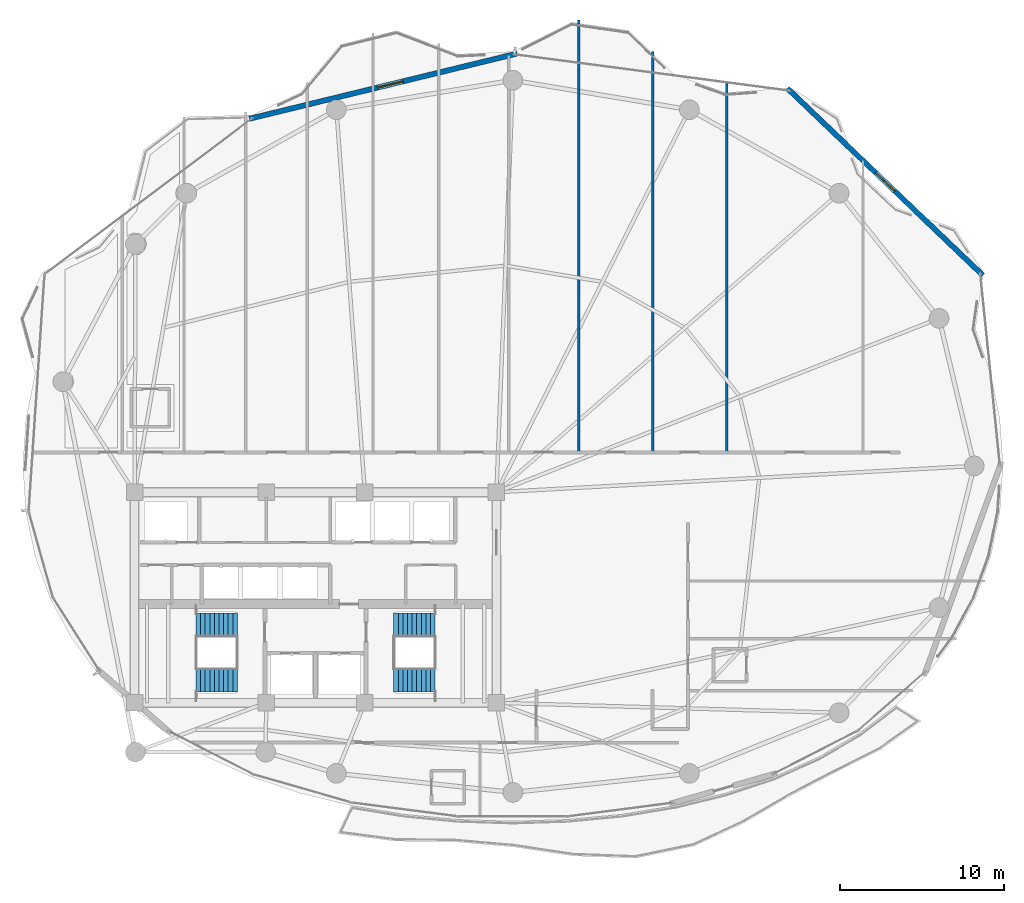
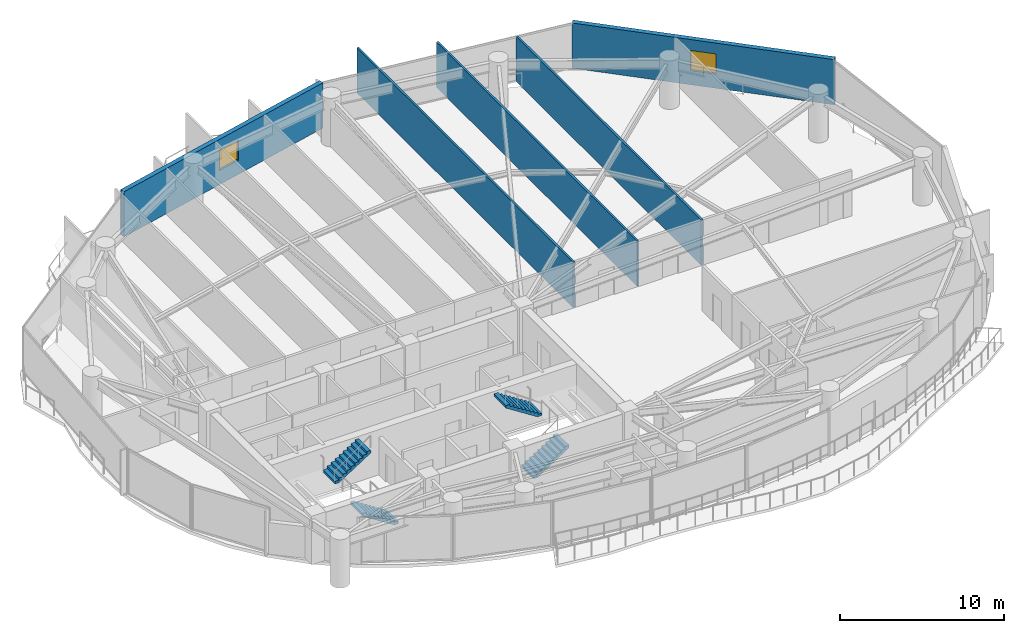
# One storey, part 27 of 31: 5 walls, 4 stair flights, 2 windows, 2 openings, 2 elements without a shape of their own.
"""IFC4 building model written with IfcOpenShell, lengths in metres."""

from ifc_helpers import new_model, si_unit, direction, frame, frame_2d, origin, place, context, subcontext, project, spatial, polyline, rectangle, outline, extrude, material, layer, layer_set, type_object, element, fill, aggregate, save


model = new_model("IFC4")

# Units and contexts
model_context = context("Model", 3, precision=1e-05, world=origin(), true_north=direction((0.0, 1.0)))
body_context = subcontext(model_context, "Body", "Model", "MODEL_VIEW")
ifc_project = project(units=[si_unit("LENGTHUNIT", "METRE"), si_unit("AREAUNIT", "SQUARE_METRE"), si_unit("VOLUMEUNIT", "CUBIC_METRE"), si_unit("PLANEANGLEUNIT", "RADIAN"), si_unit("MASSUNIT", "GRAM", prefix="KILO")], contexts=[model_context])

# Site, building, storey
site_placement = place(None, origin())
site = spatial("IfcSite", under=ifc_project, at=site_placement, CompositionType="ELEMENT")
building_placement = place(site_placement, origin())
building = spatial("IfcBuilding", under=site, at=building_placement, Name="Kazevale Care Tower and Concert Hall", CompositionType="ELEMENT")
storey_placement = place(building_placement, frame((0.0, 0.0, 124.199951171875)))
storey = spatial("IfcBuildingStorey", under=building, at=storey_placement, Name="L32", CompositionType="ELEMENT", Elevation=124.199951171875)

# Walls
ifc_material_1 = material(Name="Acoustic Gypsum on Steel Stud", Category="steel")
ifc_layer_1 = layer(ifc_material_1, 0.139892578125)
ifc_layer_set_1 = layer_set([ifc_layer_1], Name="Acoustic Gypsum on Steel Stud")
wall_type_1 = type_object("IfcWallType", Name="Acoustic Care & Suite Partition 140", PredefinedType="PARTITIONING", material=ifc_layer_set_1)
wall_1_placement = place(storey_placement, frame((49.0, 65.113037109375, 0.0), z_axis=(0.0, 0.0, 1.0), x_axis=(0.0, -1.0, 0.0)))
element("IfcWall", 1, at=wall_1_placement, inside=storey, type_object=wall_type_1, Name="wall:L32:auto_029", PredefinedType="PARTITIONING", context=body_context, shape_type="SweptSolid", body=[
    extrude(rectangle(XDim=26.318115234375, YDim=0.139892578125, at=frame_2d((13.1591796875, 0.0))), origin(), (0.0, 0.0, 1.0), 3.360107421875),
])
wall_2_placement = place(storey_placement, frame((53.5, 63.212890625, 0.0), z_axis=(0.0, 0.0, 1.0), x_axis=(0.0, -1.0, 0.0)))
element("IfcWall", 2, at=wall_2_placement, inside=storey, type_object=wall_type_1, Name="wall:L32:auto_030", PredefinedType="PARTITIONING", context=body_context, shape_type="SweptSolid", body=[
    extrude(rectangle(XDim=24.41796875, YDim=0.139892578125, at=frame_2d((12.208984375, 0.0))), origin(), (0.0, 0.0, 1.0), 3.360107421875),
])
wall_3_placement = place(storey_placement, frame((58.0, 61.302734375, 0.0), z_axis=(0.0, 0.0, 1.0), x_axis=(0.0, -1.0, 0.0)))
element("IfcWall", 3, at=wall_3_placement, inside=storey, type_object=wall_type_1, Name="wall:L32:auto_031", PredefinedType="PARTITIONING", context=body_context, shape_type="SweptSolid", body=[
    extrude(rectangle(XDim=22.5078125, YDim=0.139892578125, at=frame_2d((11.25390625, 0.0))), origin(), (0.0, 0.0, 1.0), 3.360107421875),
])

# Wall, opening, window
ifc_material_2 = material(Name="Concrete C40 with Honed Limestone Cladding", Category="masonry")
ifc_layer_2 = layer(ifc_material_2, 0.320068359375)
ifc_layer_set_2 = layer_set([ifc_layer_2], Name="Concrete C40 with Honed Limestone Cladding")
wall_type_2 = type_object("IfcWallType", Name="Tower Honed Limestone Spandrel Wall 320", PredefinedType="STANDARD", material=ifc_layer_set_2)
wall_4_placement = place(storey_placement, frame((28.97412109375, 59.10693359375, 0.0), z_axis=(0.0, 0.0, 1.0), x_axis=(0.971593971582, 0.236654081699, 0.0)))
wall_4 = element("IfcWall", 4, at=wall_4_placement, inside=storey, type_object=wall_type_2, Name="wall:L32:cbox:15", PredefinedType="STANDARD", context=body_context, shape_type="SweptSolid", body=[
    extrude(rectangle(XDim=16.762939453125, YDim=0.320068359375, at=frame_2d((8.38134765625, 0.0))), origin(), (0.0, 0.0, 1.0), 3.360107421875),
])
opening_1_placement = place(wall_4_placement, frame((8.02099609375, 0.0, 1.050048828125)))
opening_1 = element("IfcOpeningElement", 5, at=opening_1_placement, cuts=wall_4, Name="Opening WIN-1", PredefinedType="OPENING", context=body_context, shape_type="SweptSolid", body=[
    extrude(rectangle(XDim=1.60009765625, YDim=1.5, at=frame_2d((0.800048828125, 0.75))), frame((0.0, 0.169921875, 0.0), z_axis=(0.0, -1.0, 0.0), x_axis=(1.0, 0.0, 0.0)), (0.0, 0.0, 1.0), 0.340087890625),
])
ifc_material_3 = material(Name="Low-E Laminated Glass", Category="glass")
window_type = type_object("IfcWindowType", Name="Convex Box Deep-Set Window 1600x1500", PartitioningType="DOUBLE_PANEL_VERTICAL", PredefinedType="WINDOW", material=ifc_material_3)
window_1_placement = place(opening_1_placement, origin())
window_1 = element("IfcWindow", 6, at=window_1_placement, inside=storey, type_object=window_type, Name="win:L32:cbox:15", OverallHeight=1.5, OverallWidth=1.60009765625, PartitioningType="SINGLE_PANEL", PredefinedType="WINDOW", context=body_context, shape_type="SweptSolid", body=[
    extrude(rectangle(XDim=1.60009765625, YDim=1.5, at=frame_2d((0.800048828125, 0.75))), frame((0.0, 0.030029296875, 0.0), z_axis=(0.0, -1.0, 0.0), x_axis=(1.0, 0.0, 0.0)), (0.0, 0.0, 1.0), 0.06005859375),
])
fill(opening_1, window_1)

wall_5_placement = place(storey_placement, frame((61.68896484375, 60.95703125, 0.0), z_axis=(0.0, 0.0, 1.0), x_axis=(0.722641212534, -0.691223319881, 0.0)))
wall_5 = element("IfcWall", 7, at=wall_5_placement, inside=storey, type_object=wall_type_2, Name="wall:L32:cbox:17", PredefinedType="STANDARD", context=body_context, shape_type="SweptSolid", body=[
    extrude(rectangle(XDim=16.45068359375, YDim=0.320068359375, at=frame_2d((8.225341796875, 0.0))), origin(), (0.0, 0.0, 1.0), 3.360107421875),
])
opening_2_placement = place(wall_5_placement, frame((7.425048828125, 0.0, 1.050048828125)))
opening_2 = element("IfcOpeningElement", 8, at=opening_2_placement, cuts=wall_5, Name="Opening WIN-1", PredefinedType="OPENING", context=body_context, shape_type="SweptSolid", body=[
    extrude(rectangle(XDim=1.60009765625, YDim=1.5, at=frame_2d((0.800048828125, 0.75))), frame((0.0, 0.169921875, 0.0), z_axis=(0.0, -1.0, 0.0), x_axis=(1.0, 0.0, 0.0)), (0.0, 0.0, 1.0), 0.340087890625),
])
window_2_placement = place(opening_2_placement, origin())
window_2 = element("IfcWindow", 9, at=window_2_placement, inside=storey, type_object=window_type, Name="win:L32:cbox:17", OverallHeight=1.5, OverallWidth=1.60009765625, PartitioningType="SINGLE_PANEL", PredefinedType="WINDOW", context=body_context, shape_type="SweptSolid", body=[
    extrude(rectangle(XDim=1.60009765625, YDim=1.5, at=frame_2d((0.800048828125, 0.75))), frame((0.0, 0.030029296875, 0.0), z_axis=(0.0, -1.0, 0.0), x_axis=(1.0, 0.0, 0.0)), (0.0, 0.0, 1.0), 0.06005859375),
])
fill(opening_2, window_2)

# Stair, stair flights
ifc_material_4 = material(Name="Concrete C40", Category="concrete")
stair_type = type_object("IfcStairType", Name="Exit Stair Assembly ST1-Z2", PredefinedType="HALF_TURN_STAIR", material=ifc_material_4)
stair_1_placement = place(storey_placement, origin())
stair_1 = element("IfcStair", 10, at=stair_1_placement, inside=storey, type_object=stair_type, Name="stair:L32:ST1", PredefinedType="HALF_TURN_STAIR")
ifc_layer_3 = layer(ifc_material_4, 0.159912109375)
ifc_layer_set_3 = layer_set([ifc_layer_3], Name="Concrete C40")
stair_flight_type = type_object("IfcStairFlightType", Name="Exit Stair Flight ST1-Z2", PredefinedType="STRAIGHT", material=ifc_layer_set_3)
stair_flight_1_placement = place(storey_placement, frame((28.25, 24.97998046875, 0.0), z_axis=(0.0, 0.0, 1.0), x_axis=(-1.0, 0.0, 0.0)))
stair_flight_1 = element("IfcStairFlight", 11, at=stair_flight_1_placement, type_object=stair_flight_type, Name="ST1-Z2 flight 1", NumberOfRisers=10, NumberOfTreads=9, PredefinedType="STRAIGHT", RiserHeight=0.18, TreadLength=0.28, context=body_context, shape_type="SweptSolid", body=[
    extrude(outline(polyline([(0.0, 0.0), (0.0, 0.179931640625), (0.280029296875, 0.179931640625), (0.280029296875, 0.360107421875), (0.56005859375, 0.360107421875), (0.56005859375, 0.5400390625), (0.840087890625, 0.5400390625), (0.840087890625, 0.719970703125), (1.1201171875, 0.719970703125), (1.1201171875, 0.89990234375), (1.39990234375, 0.89990234375), (1.39990234375, 1.080078125), (1.679931640625, 1.080078125), (1.679931640625, 1.260009765625), (1.9599609375, 1.260009765625), (1.9599609375, 1.43994140625), (2.239990234375, 1.43994140625), (2.239990234375, 1.6201171875), (2.52001953125, 1.6201171875), (2.52001953125, 1.800048828125), (2.52001953125, 1.429931640625), (0.295654296875, 0.0), (0.0, 0.0)])), frame((0.0, 0.72998046875, 0.0), z_axis=(0.0, -1.0, 0.0), x_axis=(1.0, 0.0, 0.0)), (0.0, 0.0, 1.0), 1.4599609375),
])
stair_flight_2_placement = place(storey_placement, frame((25.72998046875, 28.320068359375, 1.800048828125), z_axis=(0.0, 0.0, 1.0), x_axis=(1.0, 0.0, 0.0)))
stair_flight_2 = element("IfcStairFlight", 12, at=stair_flight_2_placement, type_object=stair_flight_type, Name="ST1-Z2 flight 2", NumberOfRisers=10, NumberOfTreads=9, PredefinedType="STRAIGHT", RiserHeight=0.18, TreadLength=0.28, context=body_context, shape_type="SweptSolid", body=[
    extrude(outline(polyline([(0.0, 0.0), (0.0, 0.179931640625), (0.280029296875, 0.179931640625), (0.280029296875, 0.360107421875), (0.56005859375, 0.360107421875), (0.56005859375, 0.5400390625), (0.840087890625, 0.5400390625), (0.840087890625, 0.719970703125), (1.1201171875, 0.719970703125), (1.1201171875, 0.89990234375), (1.39990234375, 0.89990234375), (1.39990234375, 1.080078125), (1.679931640625, 1.080078125), (1.679931640625, 1.260009765625), (1.9599609375, 1.260009765625), (1.9599609375, 1.43994140625), (2.239990234375, 1.43994140625), (2.239990234375, 1.6201171875), (2.52001953125, 1.6201171875), (2.52001953125, 1.800048828125), (2.52001953125, 1.429931640625), (0.295654296875, 0.0), (0.0, 0.0)])), frame((0.0, 0.72998046875, 0.0), z_axis=(0.0, -1.0, 0.0), x_axis=(1.0, 0.0, 0.0)), (0.0, 0.0, 1.0), 1.4599609375),
])
aggregate(stair_1, [stair_flight_1, stair_flight_2])

stair_2_placement = place(storey_placement, origin())
stair_2 = element("IfcStair", 13, at=stair_2_placement, inside=storey, type_object=stair_type, Name="stair:L32:ST2", PredefinedType="HALF_TURN_STAIR")
stair_flight_3_placement = place(storey_placement, frame((37.75, 24.97998046875, 0.0), z_axis=(0.0, 0.0, 1.0), x_axis=(1.0, 0.0, 0.0)))
stair_flight_3 = element("IfcStairFlight", 14, at=stair_flight_3_placement, type_object=stair_flight_type, Name="ST1-Z2 flight 1", NumberOfRisers=10, NumberOfTreads=9, PredefinedType="STRAIGHT", RiserHeight=0.18, TreadLength=0.28, context=body_context, shape_type="SweptSolid", body=[
    extrude(outline(polyline([(0.0, 0.0), (0.0, 0.179931640625), (0.280029296875, 0.179931640625), (0.280029296875, 0.360107421875), (0.56005859375, 0.360107421875), (0.56005859375, 0.5400390625), (0.840087890625, 0.5400390625), (0.840087890625, 0.719970703125), (1.1201171875, 0.719970703125), (1.1201171875, 0.89990234375), (1.39990234375, 0.89990234375), (1.39990234375, 1.080078125), (1.679931640625, 1.080078125), (1.679931640625, 1.260009765625), (1.9599609375, 1.260009765625), (1.9599609375, 1.43994140625), (2.239990234375, 1.43994140625), (2.239990234375, 1.6201171875), (2.52001953125, 1.6201171875), (2.52001953125, 1.800048828125), (2.52001953125, 1.429931640625), (0.295654296875, 0.0), (0.0, 0.0)])), frame((0.0, 0.72998046875, 0.0), z_axis=(0.0, -1.0, 0.0), x_axis=(1.0, 0.0, 0.0)), (0.0, 0.0, 1.0), 1.4599609375),
])
stair_flight_4_placement = place(storey_placement, frame((40.27001953125, 28.320068359375, 1.800048828125), z_axis=(0.0, 0.0, 1.0), x_axis=(-1.0, 0.0, 0.0)))
stair_flight_4 = element("IfcStairFlight", 15, at=stair_flight_4_placement, type_object=stair_flight_type, Name="ST1-Z2 flight 2", NumberOfRisers=10, NumberOfTreads=9, PredefinedType="STRAIGHT", RiserHeight=0.18, TreadLength=0.28, context=body_context, shape_type="SweptSolid", body=[
    extrude(outline(polyline([(0.0, 0.0), (0.0, 0.179931640625), (0.280029296875, 0.179931640625), (0.280029296875, 0.360107421875), (0.56005859375, 0.360107421875), (0.56005859375, 0.5400390625), (0.840087890625, 0.5400390625), (0.840087890625, 0.719970703125), (1.1201171875, 0.719970703125), (1.1201171875, 0.89990234375), (1.39990234375, 0.89990234375), (1.39990234375, 1.080078125), (1.679931640625, 1.080078125), (1.679931640625, 1.260009765625), (1.9599609375, 1.260009765625), (1.9599609375, 1.43994140625), (2.239990234375, 1.43994140625), (2.239990234375, 1.6201171875), (2.52001953125, 1.6201171875), (2.52001953125, 1.800048828125), (2.52001953125, 1.429931640625), (0.295654296875, 0.0), (0.0, 0.0)])), frame((0.0, 0.72998046875, 0.0), z_axis=(0.0, -1.0, 0.0), x_axis=(1.0, 0.0, 0.0)), (0.0, 0.0, 1.0), 1.4599609375),
])
aggregate(stair_2, [stair_flight_3, stair_flight_4])

save(model, "model.ifc")
